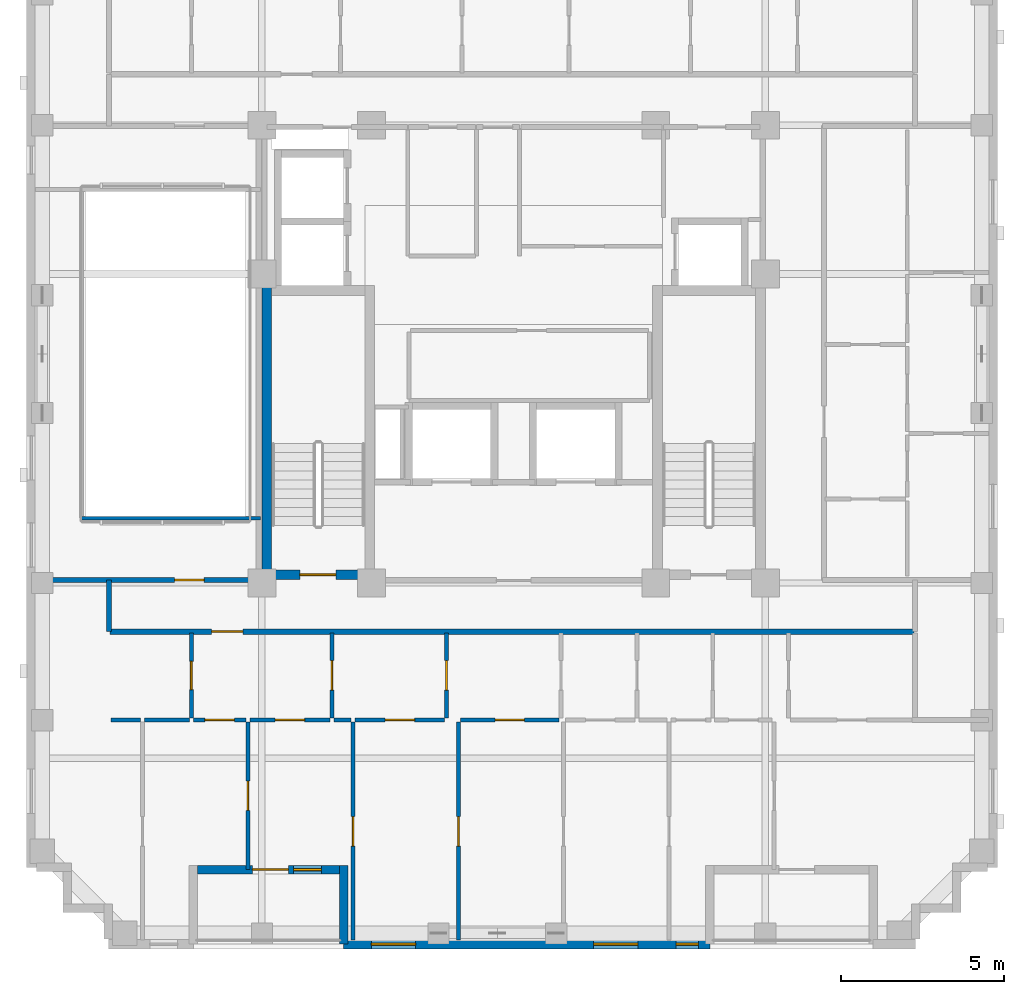
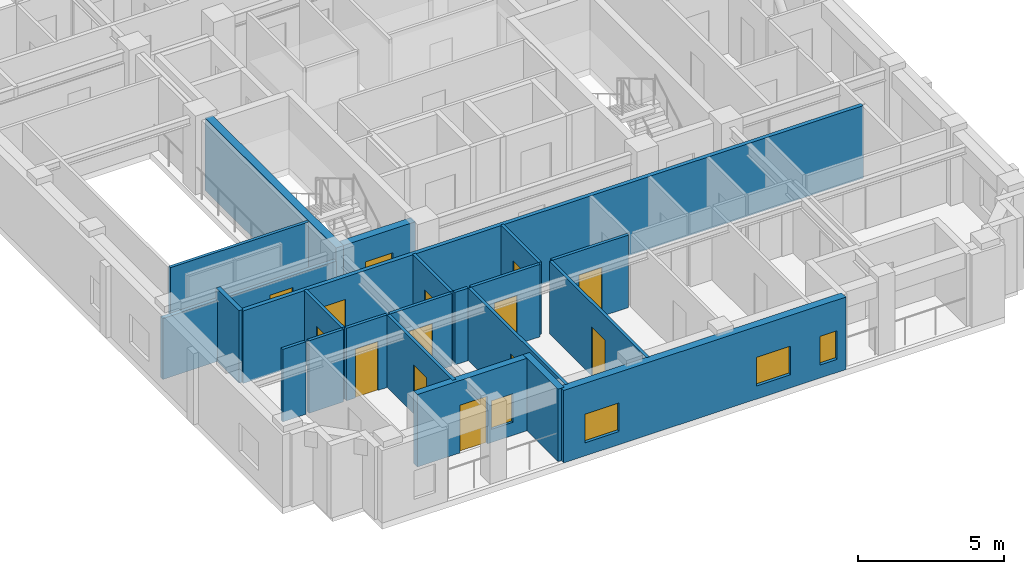
# One storey, part 4 of 12: 22 walls, 14 doors, 4 windows, 18 openings.
"""IFC4 building model written with IfcOpenShell, lengths in metres."""

from ifc_helpers import new_model, si_unit, derived_unit, direction, frame, frame_2d, origin, place, context, subcontext, project, spatial, rectangle, extrude, material, layer, layer_set, type_object, element, fill, save


model = new_model("IFC4")

# Units and contexts
model_context = context("Model", 3, precision=1e-05, world=origin(), true_north=direction((0.0, 1.0)))
body_context = subcontext(model_context, "Body", "Model", "MODEL_VIEW")
ifc_project = project(units=[si_unit("LENGTHUNIT", "METRE"), si_unit("AREAUNIT", "SQUARE_METRE"), si_unit("VOLUMEUNIT", "CUBIC_METRE"), si_unit("PLANEANGLEUNIT", "RADIAN"), si_unit("MASSUNIT", "GRAM", prefix="KILO"), derived_unit("THERMALTRANSMITTANCEUNIT", [(si_unit("MASSUNIT", "GRAM", prefix="KILO"), 1), (si_unit("TIMEUNIT", "SECOND"), -3), (si_unit("THERMODYNAMICTEMPERATUREUNIT", "KELVIN"), -1)])], contexts=[model_context])

# Site, building, storey
site_placement = place(None, origin())
site = spatial("IfcSite", under=ifc_project, at=site_placement, CompositionType="ELEMENT")
building_placement = place(site_placement, origin())
building = spatial("IfcBuilding", under=site, at=building_placement, Name="Korrvale Station Residences", CompositionType="ELEMENT")
storey_placement = place(building_placement, frame((0.0, 0.0, 184.300048828125)))
storey = spatial("IfcBuildingStorey", under=building, at=storey_placement, Name="L53", CompositionType="ELEMENT", Elevation=184.300048828125)

# Wall
ifc_material_1 = material(Name="Concrete C50/60", Category="concrete")
ifc_layer_1 = layer(ifc_material_1, 0.300048828125, Name="Concrete C50/60")
ifc_layer_set_1 = layer_set([ifc_layer_1], Name="Concrete C50/60")
wall_type_1 = type_object("IfcWallType", Name="WAL-CORE-300-C50", PredefinedType="SHEAR", material=ifc_layer_set_1)
wall_1_placement = place(storey_placement, frame((17.949951171875, 15.10009765625, 0.0), z_axis=(0.0, 0.0, 1.0), x_axis=(0.0, 1.0, 0.0)))
element("IfcWall", 1, at=wall_1_placement, inside=storey, type_object=wall_type_1, Name="L53 ST-1 Core Shear Wall West", PredefinedType="SHEAR", context=body_context, shape_type="SweptSolid", body=[
    extrude(rectangle(XDim=9.0, YDim=0.300048828125, at=frame_2d((4.5, 0.0))), origin(), (0.0, 0.0, 1.0), 3.0400390625),
])

# Wall, opening, door
wall_2_placement = place(storey_placement, frame((18.10009765625, 15.25, 0.0), z_axis=(0.0, 0.0, 1.0), x_axis=(1.0, 0.0, 0.0)))
wall_2 = element("IfcWall", 2, at=wall_2_placement, inside=storey, type_object=wall_type_1, Name="L53 ST-1 Core Shear Wall South", PredefinedType="SHEAR", context=body_context, shape_type="SweptSolid", body=[
    extrude(rectangle(XDim=2.849853515625, YDim=0.300048828125, at=frame_2d((1.4248046875, 0.0))), origin(), (0.0, 0.0, 1.0), 3.0400390625),
])
opening_1_placement = place(wall_2_placement, frame((0.860107421875, 0.0, 0.0)))
opening_1 = element("IfcOpeningElement", 3, at=opening_1_placement, cuts=wall_2, Name="Opening SD-1100", PredefinedType="OPENING", context=body_context, shape_type="SweptSolid", body=[
    extrude(rectangle(XDim=1.10009765625, YDim=2.050048828125, at=frame_2d((0.550048828125, 1.02490234375))), frame((0.0, 0.16015625, 0.0), z_axis=(0.0, -1.0, 0.0), x_axis=(1.0, 0.0, 0.0)), (0.0, 0.0, 1.0), 0.320068359375),
])
ifc_material_2 = material(Name="Hollow-metal fire-rated stair door with closer", Category="steel")
door_type_1 = type_object("IfcDoorType", Name="DR-STAIR-1100", OperationType="NOTDEFINED", PredefinedType="DOOR", material=ifc_material_2)
door_1_placement = place(opening_1_placement, origin())
door_1 = element("IfcDoor", 4, at=door_1_placement, inside=storey, type_object=door_type_1, Name="L53 ST-1 Exit Stair Door", OperationType="SINGLE_SWING_LEFT", OverallHeight=2.050048828125, OverallWidth=1.10009765625, PredefinedType="DOOR", context=body_context, shape_type="SweptSolid", body=[
    extrude(rectangle(XDim=1.10009765625, YDim=2.050048828125, at=frame_2d((0.550048828125, 1.02490234375))), frame((0.0, 0.02490234375, 0.0), z_axis=(0.0, -1.0, 0.0), x_axis=(1.0, 0.0, 0.0)), (0.0, 0.0, 1.0), 0.050048828125),
])
fill(opening_1, door_1)

# Wall
ifc_material_3 = material(Name="Precast concrete C45/55", Category="concrete")
ifc_layer_2 = layer(ifc_material_3, 0.260009765625, Name="Precast concrete C45/55")
ifc_layer_set_2 = layer_set([ifc_layer_2], Name="Precast concrete C45/55")
wall_type_2 = type_object("IfcWallType", Name="WAL-EXT-LOG260", PredefinedType="SOLIDWALL", material=ifc_layer_set_2)
wall_3_placement = place(storey_placement, frame((20.300048828125, 3.9599609375, 0.0), z_axis=(0.0, 0.0, 1.0), x_axis=(0.0, 1.0, 0.0)))
element("IfcWall", 5, at=wall_3_placement, inside=storey, type_object=wall_type_2, Name="L53 Recessed Loggia Wall BAL-L53-S1-L", PredefinedType="SOLIDWALL", context=body_context, shape_type="SweptSolid", body=[
    extrude(rectangle(XDim=2.400146484375, YDim=0.260009765625, at=frame_2d((1.2001953125, 0.0))), origin(), (0.0, 0.0, 1.0), 3.0400390625),
])

# Wall, openings, door, window
wall_4_placement = place(storey_placement, frame((20.166015625, 6.22998046875, 0.0), z_axis=(0.0, 0.0, 1.0), x_axis=(-1.0, 0.0, 0.0)))
wall_4 = element("IfcWall", 6, at=wall_4_placement, inside=storey, type_object=wall_type_2, Name="L53 Recessed Loggia Wall BAL-L53-S1-B", PredefinedType="SOLIDWALL", context=body_context, shape_type="SweptSolid", body=[
    extrude(rectangle(XDim=4.33203125, YDim=0.260009765625, at=frame_2d((2.166015625, 0.0))), origin(), (0.0, 0.0, 1.0), 3.0400390625),
])
opening_2_placement = place(wall_4_placement, frame((1.555908203125, 0.0, 0.0)))
opening_2 = element("IfcOpeningElement", 7, at=opening_2_placement, cuts=wall_4, Name="Opening BD-01", PredefinedType="OPENING", context=body_context, shape_type="SweptSolid", body=[
    extrude(rectangle(XDim=1.10009765625, YDim=2.0, at=frame_2d((0.550048828125, 1.0))), frame((0.0, 0.14013671875, 0.0), z_axis=(0.0, -1.0, 0.0), x_axis=(1.0, 0.0, 0.0)), (0.0, 0.0, 1.0), 0.280029296875),
])
opening_3_placement = place(wall_4_placement, frame((0.5458984375, 0.0, 0.550048828125)))
opening_3 = element("IfcOpeningElement", 8, at=opening_3_placement, cuts=wall_4, Name="Opening W-11", PredefinedType="OPENING", context=body_context, shape_type="SweptSolid", body=[
    extrude(rectangle(XDim=0.85009765625, YDim=1.199951171875, at=frame_2d((0.425048828125, 0.60009765625))), frame((0.0, 0.14013671875, 0.0), z_axis=(0.0, -1.0, 0.0), x_axis=(1.0, 0.0, 0.0)), (0.0, 0.0, 1.0), 0.280029296875),
])
ifc_material_4 = material(Name="Exterior thermally broken aluminium glazed balcony door", Category="aluminium")
door_type_2 = type_object("IfcDoorType", Name="DR-EXT-BAL", OperationType="NOTDEFINED", PredefinedType="DOOR", material=ifc_material_4)
door_2_placement = place(opening_2_placement, origin())
door_2 = element("IfcDoor", 9, at=door_2_placement, inside=storey, type_object=door_type_2, Name="L53 Loggia Balcony Door BAL-L53-S1", OperationType="SINGLE_SWING_LEFT", OverallHeight=2.0, OverallWidth=1.10009765625, PredefinedType="DOOR", context=body_context, shape_type="SweptSolid", body=[
    extrude(rectangle(XDim=1.10009765625, YDim=2.0, at=frame_2d((0.550048828125, 1.0))), frame((0.0, 0.02490234375, 0.0), z_axis=(0.0, -1.0, 0.0), x_axis=(1.0, 0.0, 0.0)), (0.0, 0.0, 1.0), 0.050048828125),
])
fill(opening_2, door_2)
ifc_material_5 = material(Name="Thermally broken aluminium frame with triple low-e glazing", Category="aluminium")
window_type_1 = type_object("IfcWindowType", Name="WIN-W11", PartitioningType="SINGLE_PANEL", PredefinedType="WINDOW", material=ifc_material_5)
window_1_placement = place(opening_3_placement, origin())
window_1 = element("IfcWindow", 10, at=window_1_placement, inside=storey, type_object=window_type_1, Name="L53 Punched Window 03", OverallHeight=1.199951171875, OverallWidth=0.85009765625, PartitioningType="SINGLE_PANEL", PredefinedType="WINDOW", context=body_context, shape_type="SweptSolid", body=[
    extrude(rectangle(XDim=0.85009765625, YDim=1.199951171875, at=frame_2d((0.425048828125, 0.60009765625))), frame((0.0, 0.030029296875, 0.0), z_axis=(0.0, -1.0, 0.0), x_axis=(1.0, 0.0, 0.0)), (0.0, 0.0, 1.0), 0.06005859375),
])
fill(opening_3, window_1)

# Wall, openings, windows
ifc_layer_3 = layer(ifc_material_3, 0.300048828125, Name="Precast concrete C45/55")
ifc_layer_set_3 = layer_set([ifc_layer_3], Name="Precast concrete C45/55")
wall_type_3 = type_object("IfcWallType", Name="WAL-EXT-PC300", PredefinedType="SOLIDWALL", material=ifc_layer_set_3)
wall_5_placement = place(storey_placement, frame((31.5, 3.949951171875, 0.0), z_axis=(0.0, 0.0, 1.0), x_axis=(-1.0, 0.0, 0.0)))
wall_5 = element("IfcWall", 11, at=wall_5_placement, inside=storey, type_object=wall_type_3, Name="L53 South Exterior Precast Wall 2", PredefinedType="SOLIDWALL", context=body_context, shape_type="SweptSolid", body=[
    extrude(rectangle(XDim=11.199951171875, YDim=0.300048828125, at=frame_2d((5.60009765625, 0.0))), origin(), (0.0, 0.0, 1.0), 3.0400390625),
])
opening_4_placement = place(wall_5_placement, frame((9.0, 0.0, 0.550048828125)))
opening_4 = element("IfcOpeningElement", 12, at=opening_4_placement, cuts=wall_5, Name="Opening W-10", PredefinedType="OPENING", context=body_context, shape_type="SweptSolid", body=[
    extrude(rectangle(XDim=1.35009765625, YDim=1.199951171875, at=frame_2d((0.675048828125, 0.60009765625))), frame((0.0, 0.16015625, 0.0), z_axis=(0.0, -1.0, 0.0), x_axis=(1.0, 0.0, 0.0)), (0.0, 0.0, 1.0), 0.320068359375),
])
opening_5_placement = place(wall_5_placement, frame((2.200927734375, 0.0, 0.550048828125)))
opening_5 = element("IfcOpeningElement", 13, at=opening_5_placement, cuts=wall_5, Name="Opening W-10", PredefinedType="OPENING", context=body_context, shape_type="SweptSolid", body=[
    extrude(rectangle(XDim=1.35009765625, YDim=1.199951171875, at=frame_2d((0.675048828125, 0.60009765625))), frame((0.0, 0.16015625, 0.0), z_axis=(0.0, -1.0, 0.0), x_axis=(1.0, 0.0, 0.0)), (0.0, 0.0, 1.0), 0.320068359375),
])
opening_6_placement = place(wall_5_placement, frame((0.35009765625, 0.0, 0.550048828125)))
opening_6 = element("IfcOpeningElement", 14, at=opening_6_placement, cuts=wall_5, Name="Opening W-12", PredefinedType="OPENING", context=body_context, shape_type="SweptSolid", body=[
    extrude(rectangle(XDim=0.679931640625, YDim=1.199951171875, at=frame_2d((0.33984375, 0.60009765625))), frame((0.0, 0.16015625, 0.0), z_axis=(0.0, -1.0, 0.0), x_axis=(1.0, 0.0, 0.0)), (0.0, 0.0, 1.0), 0.320068359375),
])
window_type_2 = type_object("IfcWindowType", Name="WIN-W10", PartitioningType="SINGLE_PANEL", PredefinedType="WINDOW", material=ifc_material_5)
window_2_placement = place(opening_4_placement, origin())
window_2 = element("IfcWindow", 15, at=window_2_placement, inside=storey, type_object=window_type_2, Name="L53 Punched Window 04", OverallHeight=1.199951171875, OverallWidth=1.35009765625, PartitioningType="SINGLE_PANEL", PredefinedType="WINDOW", context=body_context, shape_type="SweptSolid", body=[
    extrude(rectangle(XDim=1.35009765625, YDim=1.199951171875, at=frame_2d((0.675048828125, 0.60009765625))), frame((0.0, 0.030029296875, 0.0), z_axis=(0.0, -1.0, 0.0), x_axis=(1.0, 0.0, 0.0)), (0.0, 0.0, 1.0), 0.06005859375),
])
fill(opening_4, window_2)
window_3_placement = place(opening_5_placement, origin())
window_3 = element("IfcWindow", 16, at=window_3_placement, inside=storey, type_object=window_type_2, Name="L53 Punched Window 05", OverallHeight=1.199951171875, OverallWidth=1.35009765625, PartitioningType="SINGLE_PANEL", PredefinedType="WINDOW", context=body_context, shape_type="SweptSolid", body=[
    extrude(rectangle(XDim=1.35009765625, YDim=1.199951171875, at=frame_2d((0.675048828125, 0.60009765625))), frame((0.0, 0.030029296875, 0.0), z_axis=(0.0, -1.0, 0.0), x_axis=(1.0, 0.0, 0.0)), (0.0, 0.0, 1.0), 0.06005859375),
])
fill(opening_5, window_3)
window_type_3 = type_object("IfcWindowType", Name="WIN-W12", PartitioningType="SINGLE_PANEL", PredefinedType="WINDOW", material=ifc_material_5)
window_4_placement = place(opening_6_placement, origin())
window_4 = element("IfcWindow", 17, at=window_4_placement, inside=storey, type_object=window_type_3, Name="L53 Punched Window 06", OverallHeight=1.199951171875, OverallWidth=0.679931640625, PartitioningType="SINGLE_PANEL", PredefinedType="WINDOW", context=body_context, shape_type="SweptSolid", body=[
    extrude(rectangle(XDim=0.679931640625, YDim=1.199951171875, at=frame_2d((0.33984375, 0.60009765625))), frame((0.0, 0.030029296875, 0.0), z_axis=(0.0, -1.0, 0.0), x_axis=(1.0, 0.0, 0.0)), (0.0, 0.0, 1.0), 0.06005859375),
])
fill(opening_6, window_4)

# Wall
ifc_material_6 = material(Name="Acoustic steel-stud gypsum board partition", Category="steel")
ifc_layer_4 = layer(ifc_material_6, 0.1201171875, Name="Acoustic steel-stud gypsum board partition")
ifc_layer_set_4 = layer_set([ifc_layer_4], Name="Acoustic steel-stud gypsum board partition")
wall_type_4 = type_object("IfcWallType", Name="WAL-PART-125", PredefinedType="PARTITIONING", material=ifc_layer_set_4)
wall_6_placement = place(storey_placement, frame((12.280029296875, 16.97998046875, 0.0), z_axis=(0.0, 0.0, 1.0), x_axis=(1.0, 0.0, 0.0)))
element("IfcWall", 18, at=wall_6_placement, inside=storey, type_object=wall_type_4, Name="L53 Atrium Lounge Void Wall", PredefinedType="PARTITIONING", context=body_context, shape_type="SweptSolid", body=[
    extrude(rectangle(XDim=5.47998046875, YDim=0.1201171875, at=frame_2d((2.739990234375, 0.0))), origin(), (0.0, 0.0, 1.0), 3.0400390625),
])

# Wall, opening, door
wall_7_placement = place(storey_placement, frame((15.639892578125, 10.8701171875, 0.0), z_axis=(0.0, 0.0, 1.0), x_axis=(0.0, 1.0, 0.0)))
wall_7 = element("IfcWall", 19, at=wall_7_placement, inside=storey, type_object=wall_type_4, Name="L53 Suite Partition U01-V01", PredefinedType="PARTITIONING", context=body_context, shape_type="SweptSolid", body=[
    extrude(rectangle(XDim=2.599853515625, YDim=0.1201171875, at=frame_2d((1.2998046875, 0.0))), origin(), (0.0, 0.0, 1.0), 3.0400390625),
])
opening_7_placement = place(wall_7_placement, frame((0.8701171875, 0.0, 0.0)))
opening_7 = element("IfcOpeningElement", 20, at=opening_7_placement, cuts=wall_7, Name="Opening DB-860", PredefinedType="OPENING", context=body_context, shape_type="SweptSolid", body=[
    extrude(rectangle(XDim=0.860107421875, YDim=2.050048828125, at=frame_2d((0.43017578125, 1.02490234375))), frame((0.0, 0.070068359375, 0.0), z_axis=(0.0, -1.0, 0.0), x_axis=(1.0, 0.0, 0.0)), (0.0, 0.0, 1.0), 0.14013671875),
])
ifc_material_7 = material(Name="Moisture-resistant solid-core bathroom door", Category="timber")
door_type_3 = type_object("IfcDoorType", Name="DR-BATH-860", OperationType="NOTDEFINED", PredefinedType="DOOR", material=ifc_material_7)
door_3_placement = place(opening_7_placement, origin())
door_3 = element("IfcDoor", 21, at=door_3_placement, inside=storey, type_object=door_type_3, Name="L53 Studio Apartment L53-U01 Bathroom Door", OperationType="SINGLE_SWING_LEFT", OverallHeight=2.050048828125, OverallWidth=0.860107421875, PredefinedType="DOOR", context=body_context, shape_type="SweptSolid", body=[
    extrude(rectangle(XDim=0.860107421875, YDim=2.050048828125, at=frame_2d((0.43017578125, 1.02490234375))), frame((0.0, 0.02490234375, 0.0), z_axis=(0.0, -1.0, 0.0), x_axis=(1.0, 0.0, 0.0)), (0.0, 0.0, 1.0), 0.050048828125),
])
fill(opening_7, door_3)

# Walls
wall_8_placement = place(storey_placement, frame((13.179931640625, 10.81005859375, 0.0), z_axis=(0.0, 0.0, 1.0), x_axis=(1.0, 0.0, 0.0)))
element("IfcWall", 22, at=wall_8_placement, inside=storey, type_object=wall_type_4, Name="L53 Suite Partition U01-H08", PredefinedType="PARTITIONING", context=body_context, shape_type="SweptSolid", body=[
    extrude(rectangle(XDim=0.91015625, YDim=0.1201171875, at=frame_2d((0.455078125, 0.0))), origin(), (0.0, 0.0, 1.0), 3.0400390625),
])
wall_9_placement = place(storey_placement, frame((14.2099609375, 10.81005859375, 0.0), z_axis=(0.0, 0.0, 1.0), x_axis=(1.0, 0.0, 0.0)))
element("IfcWall", 23, at=wall_9_placement, inside=storey, type_object=wall_type_4, Name="L53 Suite Partition U01-H09", PredefinedType="PARTITIONING", context=body_context, shape_type="SweptSolid", body=[
    extrude(rectangle(XDim=1.3701171875, YDim=0.1201171875, at=frame_2d((0.68505859375, 0.0))), origin(), (0.0, 0.0, 1.0), 3.0400390625),
])

# Wall, opening, door
wall_10_placement = place(storey_placement, frame((19.93994140625, 10.8701171875, 0.0), z_axis=(0.0, 0.0, 1.0), x_axis=(0.0, 1.0, 0.0)))
wall_10 = element("IfcWall", 24, at=wall_10_placement, inside=storey, type_object=wall_type_4, Name="L53 Suite Partition U01-V12", PredefinedType="PARTITIONING", context=body_context, shape_type="SweptSolid", body=[
    extrude(rectangle(XDim=2.599853515625, YDim=0.1201171875, at=frame_2d((1.2998046875, 0.0))), origin(), (0.0, 0.0, 1.0), 3.0400390625),
])
opening_8_placement = place(wall_10_placement, frame((0.85009765625, 0.0, 0.0)))
opening_8 = element("IfcOpeningElement", 25, at=opening_8_placement, cuts=wall_10, Name="Opening DI-900", PredefinedType="OPENING", context=body_context, shape_type="SweptSolid", body=[
    extrude(rectangle(XDim=0.89990234375, YDim=2.050048828125, at=frame_2d((0.449951171875, 1.02490234375))), frame((0.0, 0.070068359375, 0.0), z_axis=(0.0, -1.0, 0.0), x_axis=(1.0, 0.0, 0.0)), (0.0, 0.0, 1.0), 0.14013671875),
])
ifc_material_8 = material(Name="Painted solid-core timber interior room door", Category="wood")
door_type_4 = type_object("IfcDoorType", Name="DR-INT-900", OperationType="NOTDEFINED", PredefinedType="DOOR", material=ifc_material_8)
door_4_placement = place(opening_8_placement, origin())
door_4 = element("IfcDoor", 26, at=door_4_placement, inside=storey, type_object=door_type_4, Name="L53 Studio Apartment L53-U01 Kitchen Door", OperationType="SINGLE_SWING_RIGHT", OverallHeight=2.050048828125, OverallWidth=0.89990234375, PredefinedType="DOOR", context=body_context, shape_type="SweptSolid", body=[
    extrude(rectangle(XDim=0.89990234375, YDim=2.050048828125, at=frame_2d((0.449951171875, 1.02490234375))), frame((0.0, 0.02490234375, 0.0), z_axis=(0.0, -1.0, 0.0), x_axis=(1.0, 0.0, 0.0)), (0.0, 0.0, 1.0), 0.050048828125),
])
fill(opening_8, door_4)

wall_11_placement = place(storey_placement, frame((15.699951171875, 10.81005859375, 0.0), z_axis=(0.0, 0.0, 1.0), x_axis=(1.0, 0.0, 0.0)))
wall_11 = element("IfcWall", 27, at=wall_11_placement, inside=storey, type_object=wall_type_4, Name="L53 Suite Partition U01-H19", PredefinedType="PARTITIONING", context=body_context, shape_type="SweptSolid", body=[
    extrude(rectangle(XDim=1.610107421875, YDim=0.1201171875, at=frame_2d((0.80517578125, 0.0))), origin(), (0.0, 0.0, 1.0), 3.0400390625),
])
opening_9_placement = place(wall_11_placement, frame((0.35498046875, 0.0, 0.0)))
opening_9 = element("IfcOpeningElement", 28, at=opening_9_placement, cuts=wall_11, Name="Opening DI-900", PredefinedType="OPENING", context=body_context, shape_type="SweptSolid", body=[
    extrude(rectangle(XDim=0.89990234375, YDim=2.050048828125, at=frame_2d((0.449951171875, 1.02490234375))), frame((0.0, 0.070068359375, 0.0), z_axis=(0.0, -1.0, 0.0), x_axis=(1.0, 0.0, 0.0)), (0.0, 0.0, 1.0), 0.14013671875),
])
door_5_placement = place(opening_9_placement, origin())
door_5 = element("IfcDoor", 29, at=door_5_placement, inside=storey, type_object=door_type_4, Name="L53 Studio Apartment L53-U01 Kitchen Door", OperationType="SINGLE_SWING_LEFT", OverallHeight=2.050048828125, OverallWidth=0.89990234375, PredefinedType="DOOR", context=body_context, shape_type="SweptSolid", body=[
    extrude(rectangle(XDim=0.89990234375, YDim=2.050048828125, at=frame_2d((0.449951171875, 1.02490234375))), frame((0.0, 0.02490234375, 0.0), z_axis=(0.0, -1.0, 0.0), x_axis=(1.0, 0.0, 0.0)), (0.0, 0.0, 1.0), 0.050048828125),
])
fill(opening_9, door_5)

wall_12_placement = place(storey_placement, frame((17.429931640625, 10.81005859375, 0.0), z_axis=(0.0, 0.0, 1.0), x_axis=(1.0, 0.0, 0.0)))
wall_12 = element("IfcWall", 30, at=wall_12_placement, inside=storey, type_object=wall_type_4, Name="L53 Suite Partition U01-H110", PredefinedType="PARTITIONING", context=body_context, shape_type="SweptSolid", body=[
    extrude(rectangle(XDim=2.449951171875, YDim=0.1201171875, at=frame_2d((1.22509765625, 0.0))), origin(), (0.0, 0.0, 1.0), 3.0400390625),
])
opening_10_placement = place(wall_12_placement, frame((0.77490234375, 0.0, 0.0)))
opening_10 = element("IfcOpeningElement", 31, at=opening_10_placement, cuts=wall_12, Name="Opening DI-900", PredefinedType="OPENING", context=body_context, shape_type="SweptSolid", body=[
    extrude(rectangle(XDim=0.89990234375, YDim=2.050048828125, at=frame_2d((0.449951171875, 1.02490234375))), frame((0.0, 0.070068359375, 0.0), z_axis=(0.0, -1.0, 0.0), x_axis=(1.0, 0.0, 0.0)), (0.0, 0.0, 1.0), 0.14013671875),
])
door_6_placement = place(opening_10_placement, origin())
door_6 = element("IfcDoor", 32, at=door_6_placement, inside=storey, type_object=door_type_4, Name="L53 Studio Apartment L53-U01 Kitchen Door", OperationType="SINGLE_SWING_RIGHT", OverallHeight=2.050048828125, OverallWidth=0.89990234375, PredefinedType="DOOR", context=body_context, shape_type="SweptSolid", body=[
    extrude(rectangle(XDim=0.89990234375, YDim=2.050048828125, at=frame_2d((0.449951171875, 1.02490234375))), frame((0.0, 0.02490234375, 0.0), z_axis=(0.0, -1.0, 0.0), x_axis=(1.0, 0.0, 0.0)), (0.0, 0.0, 1.0), 0.050048828125),
])
fill(opening_10, door_6)

wall_13_placement = place(storey_placement, frame((23.445068359375, 10.8701171875, 0.0), z_axis=(0.0, 0.0, 1.0), x_axis=(0.0, 1.0, 0.0)))
wall_13 = element("IfcWall", 33, at=wall_13_placement, inside=storey, type_object=wall_type_4, Name="L53 Suite Partition U01-V23", PredefinedType="PARTITIONING", context=body_context, shape_type="SweptSolid", body=[
    extrude(rectangle(XDim=2.599853515625, YDim=0.1201171875, at=frame_2d((1.2998046875, 0.0))), origin(), (0.0, 0.0, 1.0), 3.0400390625),
])
opening_11_placement = place(wall_13_placement, frame((0.85009765625, 0.0, 0.0)))
opening_11 = element("IfcOpeningElement", 34, at=opening_11_placement, cuts=wall_13, Name="Opening DI-900", PredefinedType="OPENING", context=body_context, shape_type="SweptSolid", body=[
    extrude(rectangle(XDim=0.89990234375, YDim=2.050048828125, at=frame_2d((0.449951171875, 1.02490234375))), frame((0.0, 0.070068359375, 0.0), z_axis=(0.0, -1.0, 0.0), x_axis=(1.0, 0.0, 0.0)), (0.0, 0.0, 1.0), 0.14013671875),
])
door_7_placement = place(opening_11_placement, origin())
door_7 = element("IfcDoor", 35, at=door_7_placement, inside=storey, type_object=door_type_4, Name="L53 Studio Apartment L53-U01 Home Study Room Door", OperationType="SINGLE_SWING_LEFT", OverallHeight=2.050048828125, OverallWidth=0.89990234375, PredefinedType="DOOR", context=body_context, shape_type="SweptSolid", body=[
    extrude(rectangle(XDim=0.89990234375, YDim=2.050048828125, at=frame_2d((0.449951171875, 1.02490234375))), frame((0.0, 0.02490234375, 0.0), z_axis=(0.0, -1.0, 0.0), x_axis=(1.0, 0.0, 0.0)), (0.0, 0.0, 1.0), 0.050048828125),
])
fill(opening_11, door_7)

# Wall
wall_14_placement = place(storey_placement, frame((20.0, 10.81005859375, 0.0), z_axis=(0.0, 0.0, 1.0), x_axis=(1.0, 0.0, 0.0)))
element("IfcWall", 36, at=wall_14_placement, inside=storey, type_object=wall_type_4, Name="L53 Suite Partition U01-H210", PredefinedType="PARTITIONING", context=body_context, shape_type="SweptSolid", body=[
    extrude(rectangle(XDim=0.530029296875, YDim=0.1201171875, at=frame_2d((0.26513671875, 0.0))), origin(), (0.0, 0.0, 1.0), 3.0400390625),
])

# Wall, opening, door
wall_15_placement = place(storey_placement, frame((20.64990234375, 10.81005859375, 0.0), z_axis=(0.0, 0.0, 1.0), x_axis=(1.0, 0.0, 0.0)))
wall_15 = element("IfcWall", 37, at=wall_15_placement, inside=storey, type_object=wall_type_4, Name="L53 Suite Partition U01-H211", PredefinedType="PARTITIONING", context=body_context, shape_type="SweptSolid", body=[
    extrude(rectangle(XDim=2.735107421875, YDim=0.1201171875, at=frame_2d((1.36767578125, 0.0))), origin(), (0.0, 0.0, 1.0), 3.0400390625),
])
opening_12_placement = place(wall_15_placement, frame((0.91796875, 0.0, 0.0)))
opening_12 = element("IfcOpeningElement", 38, at=opening_12_placement, cuts=wall_15, Name="Opening DI-900", PredefinedType="OPENING", context=body_context, shape_type="SweptSolid", body=[
    extrude(rectangle(XDim=0.89990234375, YDim=2.050048828125, at=frame_2d((0.449951171875, 1.02490234375))), frame((0.0, 0.070068359375, 0.0), z_axis=(0.0, -1.0, 0.0), x_axis=(1.0, 0.0, 0.0)), (0.0, 0.0, 1.0), 0.14013671875),
])
door_8_placement = place(opening_12_placement, origin())
door_8 = element("IfcDoor", 39, at=door_8_placement, inside=storey, type_object=door_type_4, Name="L53 Studio Apartment L53-U01 Home Study Room Door", OperationType="SINGLE_SWING_RIGHT", OverallHeight=2.050048828125, OverallWidth=0.89990234375, PredefinedType="DOOR", context=body_context, shape_type="SweptSolid", body=[
    extrude(rectangle(XDim=0.89990234375, YDim=2.050048828125, at=frame_2d((0.449951171875, 1.02490234375))), frame((0.0, 0.02490234375, 0.0), z_axis=(0.0, -1.0, 0.0), x_axis=(1.0, 0.0, 0.0)), (0.0, 0.0, 1.0), 0.050048828125),
])
fill(opening_12, door_8)

wall_16_placement = place(storey_placement, frame((23.8701171875, 10.81005859375, 0.0), z_axis=(0.0, 0.0, 1.0), x_axis=(1.0, 0.0, 0.0)))
wall_16 = element("IfcWall", 40, at=wall_16_placement, inside=storey, type_object=wall_type_4, Name="L53 Suite Partition U01-H312", PredefinedType="PARTITIONING", context=body_context, shape_type="SweptSolid", body=[
    extrude(rectangle(XDim=3.019775390625, YDim=0.1201171875, at=frame_2d((1.509765625, 0.0))), origin(), (0.0, 0.0, 1.0), 3.0400390625),
])
opening_13_placement = place(wall_16_placement, frame((1.06005859375, 0.0, 0.0)))
opening_13 = element("IfcOpeningElement", 41, at=opening_13_placement, cuts=wall_16, Name="Opening DI-900", PredefinedType="OPENING", context=body_context, shape_type="SweptSolid", body=[
    extrude(rectangle(XDim=0.89990234375, YDim=2.050048828125, at=frame_2d((0.449951171875, 1.02490234375))), frame((0.0, 0.070068359375, 0.0), z_axis=(0.0, -1.0, 0.0), x_axis=(1.0, 0.0, 0.0)), (0.0, 0.0, 1.0), 0.14013671875),
])
door_9_placement = place(opening_13_placement, origin())
door_9 = element("IfcDoor", 42, at=door_9_placement, inside=storey, type_object=door_type_4, Name="L53 Studio Apartment L53-U01 Home Study Room Door", OperationType="SINGLE_SWING_RIGHT", OverallHeight=2.050048828125, OverallWidth=0.89990234375, PredefinedType="DOOR", context=body_context, shape_type="SweptSolid", body=[
    extrude(rectangle(XDim=0.89990234375, YDim=2.050048828125, at=frame_2d((0.449951171875, 1.02490234375))), frame((0.0, 0.02490234375, 0.0), z_axis=(0.0, -1.0, 0.0), x_axis=(1.0, 0.0, 0.0)), (0.0, 0.0, 1.0), 0.050048828125),
])
fill(opening_13, door_9)

wall_17_placement = place(storey_placement, frame((17.3701171875, 6.22998046875, 0.0), z_axis=(0.0, 0.0, 1.0), x_axis=(0.0, 1.0, 0.0)))
wall_17 = element("IfcWall", 43, at=wall_17_placement, inside=storey, type_object=wall_type_4, Name="L53 Suite Partition U01-V910", PredefinedType="PARTITIONING", context=body_context, shape_type="SweptSolid", body=[
    extrude(rectangle(XDim=4.52001953125, YDim=0.1201171875, at=frame_2d((2.260009765625, 0.0))), origin(), (0.0, 0.0, 1.0), 3.0400390625),
])
opening_14_placement = place(wall_17_placement, frame((1.81005859375, 0.0, 0.0)))
opening_14 = element("IfcOpeningElement", 44, at=opening_14_placement, cuts=wall_17, Name="Opening DI-900", PredefinedType="OPENING", context=body_context, shape_type="SweptSolid", body=[
    extrude(rectangle(XDim=0.89990234375, YDim=2.050048828125, at=frame_2d((0.449951171875, 1.02490234375))), frame((0.0, 0.070068359375, 0.0), z_axis=(0.0, -1.0, 0.0), x_axis=(1.0, 0.0, 0.0)), (0.0, 0.0, 1.0), 0.14013671875),
])
door_10_placement = place(opening_14_placement, origin())
door_10 = element("IfcDoor", 45, at=door_10_placement, inside=storey, type_object=door_type_4, Name="L53 Studio Apartment L53-U01 Formal Dining Room Door", OperationType="SINGLE_SWING_LEFT", OverallHeight=2.050048828125, OverallWidth=0.89990234375, PredefinedType="DOOR", context=body_context, shape_type="SweptSolid", body=[
    extrude(rectangle(XDim=0.89990234375, YDim=2.050048828125, at=frame_2d((0.449951171875, 1.02490234375))), frame((0.0, 0.02490234375, 0.0), z_axis=(0.0, -1.0, 0.0), x_axis=(1.0, 0.0, 0.0)), (0.0, 0.0, 1.0), 0.050048828125),
])
fill(opening_14, door_10)

wall_18_placement = place(storey_placement, frame((20.590087890625, 4.080078125, 0.0), z_axis=(0.0, 0.0, 1.0), x_axis=(0.0, 1.0, 0.0)))
wall_18 = element("IfcWall", 46, at=wall_18_placement, inside=storey, type_object=wall_type_4, Name="L53 Suite Partition U01-V1011", PredefinedType="PARTITIONING", context=body_context, shape_type="SweptSolid", body=[
    extrude(rectangle(XDim=6.669921875, YDim=0.1201171875, at=frame_2d((3.3349609375, 0.0))), origin(), (0.0, 0.0, 1.0), 3.0400390625),
])
opening_15_placement = place(wall_18_placement, frame((2.8701171875, 0.0, 0.0)))
opening_15 = element("IfcOpeningElement", 47, at=opening_15_placement, cuts=wall_18, Name="Opening DI-900", PredefinedType="OPENING", context=body_context, shape_type="SweptSolid", body=[
    extrude(rectangle(XDim=0.89990234375, YDim=2.050048828125, at=frame_2d((0.449951171875, 1.02490234375))), frame((0.0, 0.070068359375, 0.0), z_axis=(0.0, -1.0, 0.0), x_axis=(1.0, 0.0, 0.0)), (0.0, 0.0, 1.0), 0.14013671875),
])
door_11_placement = place(opening_15_placement, origin())
door_11 = element("IfcDoor", 48, at=door_11_placement, inside=storey, type_object=door_type_4, Name="L53 Studio Apartment L53-U01 Formal Dining Room Door", OperationType="SINGLE_SWING_RIGHT", OverallHeight=2.050048828125, OverallWidth=0.89990234375, PredefinedType="DOOR", context=body_context, shape_type="SweptSolid", body=[
    extrude(rectangle(XDim=0.89990234375, YDim=2.050048828125, at=frame_2d((0.449951171875, 1.02490234375))), frame((0.0, 0.02490234375, 0.0), z_axis=(0.0, -1.0, 0.0), x_axis=(1.0, 0.0, 0.0)), (0.0, 0.0, 1.0), 0.050048828125),
])
fill(opening_15, door_11)

wall_19_placement = place(storey_placement, frame((23.81005859375, 4.080078125, 0.0), z_axis=(0.0, 0.0, 1.0), x_axis=(0.0, 1.0, 0.0)))
wall_19 = element("IfcWall", 49, at=wall_19_placement, inside=storey, type_object=wall_type_4, Name="L53 Suite Partition U01-V1112", PredefinedType="PARTITIONING", context=body_context, shape_type="SweptSolid", body=[
    extrude(rectangle(XDim=6.669921875, YDim=0.1201171875, at=frame_2d((3.3349609375, 0.0))), origin(), (0.0, 0.0, 1.0), 3.0400390625),
])
opening_16_placement = place(wall_19_placement, frame((2.8701171875, 0.0, 0.0)))
opening_16 = element("IfcOpeningElement", 50, at=opening_16_placement, cuts=wall_19, Name="Opening DI-900", PredefinedType="OPENING", context=body_context, shape_type="SweptSolid", body=[
    extrude(rectangle(XDim=0.89990234375, YDim=2.050048828125, at=frame_2d((0.449951171875, 1.02490234375))), frame((0.0, 0.070068359375, 0.0), z_axis=(0.0, -1.0, 0.0), x_axis=(1.0, 0.0, 0.0)), (0.0, 0.0, 1.0), 0.14013671875),
])
door_12_placement = place(opening_16_placement, origin())
door_12 = element("IfcDoor", 51, at=door_12_placement, inside=storey, type_object=door_type_4, Name="L53 Studio Apartment L53-U01 Formal Dining Room Door", OperationType="SINGLE_SWING_LEFT", OverallHeight=2.050048828125, OverallWidth=0.89990234375, PredefinedType="DOOR", context=body_context, shape_type="SweptSolid", body=[
    extrude(rectangle(XDim=0.89990234375, YDim=2.050048828125, at=frame_2d((0.449951171875, 1.02490234375))), frame((0.0, 0.02490234375, 0.0), z_axis=(0.0, -1.0, 0.0), x_axis=(1.0, 0.0, 0.0)), (0.0, 0.0, 1.0), 0.050048828125),
])
fill(opening_16, door_12)

# Wall
ifc_material_9 = material(Name="Fire-rated twin-stud gypsum and mineral wool shaftwall assembly", Category="gypsum")
ifc_layer_5 = layer(ifc_material_9, 0.159912109375, Name="Fire-rated twin-stud gypsum and mineral wool shaftwall assembly")
ifc_layer_set_5 = layer_set([ifc_layer_5], Name="Fire-rated twin-stud gypsum and mineral wool shaftwall assembly")
wall_type_5 = type_object("IfcWallType", Name="WAL-PART-200", PredefinedType="PARTITIONING", material=ifc_layer_set_5)
wall_20_placement = place(storey_placement, frame((13.1201171875, 13.510009765625, 0.0), z_axis=(0.0, 0.0, 1.0), x_axis=(0.0, 1.0, 0.0)))
element("IfcWall", 52, at=wall_20_placement, inside=storey, type_object=wall_type_5, Name="L53 Corridor South West Cap", PredefinedType="PARTITIONING", context=body_context, shape_type="SweptSolid", body=[
    extrude(rectangle(XDim=1.580078125, YDim=0.159912109375, at=frame_2d((0.7900390625, 0.0))), origin(), (0.0, 0.0, 1.0), 3.0400390625),
])

# Wall, opening, door
wall_21_placement = place(storey_placement, frame((10.8798828125, 15.090087890625, 0.0), z_axis=(0.0, 0.0, 1.0), x_axis=(1.0, 0.0, 0.0)))
wall_21 = element("IfcWall", 53, at=wall_21_placement, inside=storey, type_object=wall_type_5, Name="L53 Atrium Lounge South Wall", PredefinedType="PARTITIONING", context=body_context, shape_type="SweptSolid", body=[
    extrude(rectangle(XDim=6.880126953125, YDim=0.159912109375, at=frame_2d((3.43994140625, 0.0))), origin(), (0.0, 0.0, 1.0), 2.555908203125),
])
opening_17_placement = place(wall_21_placement, frame((4.25, 0.0, 0.0)))
opening_17 = element("IfcOpeningElement", 54, at=opening_17_placement, cuts=wall_21, Name="Opening DI-900", PredefinedType="OPENING", context=body_context, shape_type="SweptSolid", body=[
    extrude(rectangle(XDim=0.89990234375, YDim=2.050048828125, at=frame_2d((0.449951171875, 1.02490234375))), frame((0.0, 0.08984375, 0.0), z_axis=(0.0, -1.0, 0.0), x_axis=(1.0, 0.0, 0.0)), (0.0, 0.0, 1.0), 0.179931640625),
])
door_13_placement = place(opening_17_placement, origin())
door_13 = element("IfcDoor", 55, at=door_13_placement, inside=storey, type_object=door_type_4, Name="L53 Atrium Lounge South Door", OperationType="SINGLE_SWING_LEFT", OverallHeight=2.050048828125, OverallWidth=0.89990234375, PredefinedType="DOOR", context=body_context, shape_type="SweptSolid", body=[
    extrude(rectangle(XDim=0.89990234375, YDim=2.050048828125, at=frame_2d((0.449951171875, 1.02490234375))), frame((0.0, 0.02490234375, 0.0), z_axis=(0.0, -1.0, 0.0), x_axis=(1.0, 0.0, 0.0)), (0.0, 0.0, 1.0), 0.050048828125),
])
fill(opening_17, door_13)

wall_22_placement = place(storey_placement, frame((13.14990234375, 13.510009765625, 0.0), z_axis=(0.0, 0.0, 1.0), x_axis=(1.0, 0.0, 0.0)))
wall_22 = element("IfcWall", 56, at=wall_22_placement, inside=storey, type_object=wall_type_5, Name="L53 Rated Corridor Wall S", PredefinedType="PARTITIONING", context=body_context, shape_type="SweptSolid", body=[
    extrude(rectangle(XDim=24.60009765625, YDim=0.159912109375, at=frame_2d((12.300048828125, 0.0))), origin(), (0.0, 0.0, 1.0), 3.0400390625),
])
opening_18_placement = place(wall_22_placement, frame((3.114990234375, 0.0, 0.0)))
opening_18 = element("IfcOpeningElement", 57, at=opening_18_placement, cuts=wall_22, Name="Opening UD-950", PredefinedType="OPENING", context=body_context, shape_type="SweptSolid", body=[
    extrude(rectangle(XDim=0.949951171875, YDim=2.10009765625, at=frame_2d((0.47509765625, 1.050048828125))), frame((0.0, 0.08984375, 0.0), z_axis=(0.0, -1.0, 0.0), x_axis=(1.0, 0.0, 0.0)), (0.0, 0.0, 1.0), 0.179931640625),
])
ifc_material_10 = material(Name="Solid-core acoustic oak apartment entrance door", Category="timber")
door_type_5 = type_object("IfcDoorType", Name="DR-UNIT-950", OperationType="NOTDEFINED", PredefinedType="DOOR", material=ifc_material_10)
door_14_placement = place(opening_18_placement, origin())
door_14 = element("IfcDoor", 58, at=door_14_placement, inside=storey, type_object=door_type_5, Name="L53 Apartment L53-U01 Entrance Door", OperationType="SINGLE_SWING_RIGHT", OverallHeight=2.10009765625, OverallWidth=0.949951171875, PredefinedType="DOOR", context=body_context, shape_type="SweptSolid", body=[
    extrude(rectangle(XDim=0.949951171875, YDim=2.10009765625, at=frame_2d((0.47509765625, 1.050048828125))), frame((0.0, 0.02490234375, 0.0), z_axis=(0.0, -1.0, 0.0), x_axis=(1.0, 0.0, 0.0)), (0.0, 0.0, 1.0), 0.050048828125),
])
fill(opening_18, door_14)

save(model, "model.ifc")
